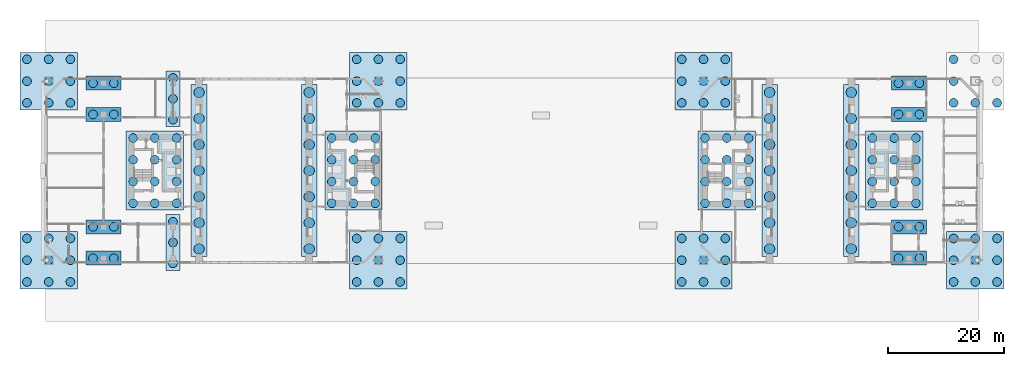
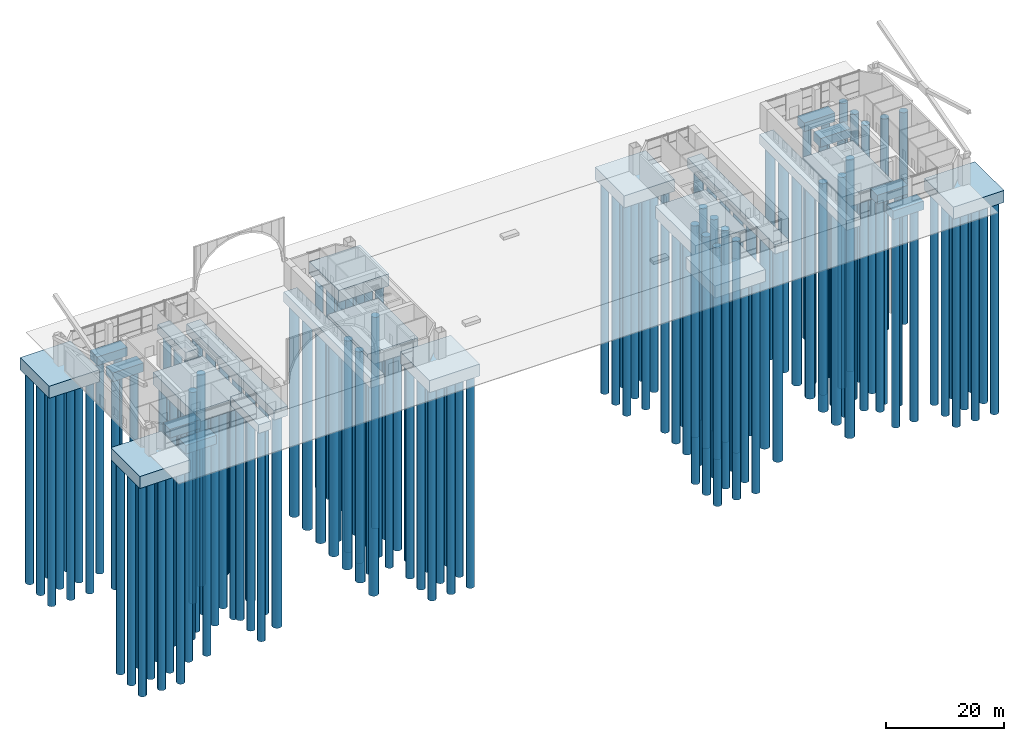
# One storey, part 1 of 26: 166 piles, 25 footings.
"""IFC4 building model written with IfcOpenShell, lengths in metres."""

import ifcopenshell
import ifcopenshell.guid

model = None  # the IFC model being written
_history = None  # IfcOwnerHistory: only IFC2X3 demands one
_inside = {}  # id of a spatial element -> (the spatial element, [elements in it])
_under = {}  # id of a project, library or spatial element -> (it, [spatial elements below it])
_declared = {}  # id of a project -> (the project, [libraries it declares])
_typed = {}  # id of a type object -> (the type object, [elements of that type])
_made_of = {}  # id of a material, layer set ... -> (it, [elements and type objects made of it])


def new_model(schema):
    """Start an empty IFC model of exactly this schema.

    Asked for "IFC4X3", IfcOpenShell would pick the latest addendum, in which some entities
    have other attributes; the version numbers below select the first issue.
    IFC2X3 requires an IfcOwnerHistory on every rooted entity: one is made here for all.
    """
    global model, _history
    if schema == "IFC4X3":
        model = ifcopenshell.file(schema_version=(4, 3, 0, 0))
    else:
        model = ifcopenshell.file(schema=schema)
    _inside.clear()
    _under.clear()
    _declared.clear()
    _typed.clear()
    _made_of.clear()
    _history = None
    if model.schema == "IFC2X3":
        org = make("IfcOrganization", Name="unknown")
        user = make(
            "IfcPersonAndOrganization",
            ThePerson=make("IfcPerson", FamilyName="unknown"),
            TheOrganization=org,
        )
        app = make(
            "IfcApplication",
            ApplicationDeveloper=org,
            Version="unknown",
            ApplicationFullName="unknown",
            ApplicationIdentifier="unknown",
        )
        _history = make(
            "IfcOwnerHistory",
            OwningUser=user,
            OwningApplication=app,
            ChangeAction="ADDED",
            CreationDate=0,
        )
    return model


def make(cls, **values):
    """One entity of the class cls with the attributes given. An attribute that is None is left unset."""
    return model.create_entity(
        cls, **{name: value for name, value in values.items() if value is not None}
    )


def rooted(cls, **values):
    """An entity with a GlobalId (a new one), such as an element, a storey or a relation."""
    return make(cls, GlobalId=ifcopenshell.guid.new(), OwnerHistory=_history, **values)


def si_unit(unit_type, name, prefix=None):
    """IfcSIUnit, for example si_unit("LENGTHUNIT", "METRE", prefix="MILLI")."""
    return make("IfcSIUnit", UnitType=unit_type, Prefix=prefix, Name=name)


def assignment(units):
    """IfcUnitAssignment: the units of a project."""
    return None if units is None else make("IfcUnitAssignment", Units=units)


def point(xyz):
    """IfcCartesianPoint."""
    return None if xyz is None else make("IfcCartesianPoint", Coordinates=xyz)


def direction(xyz):
    """IfcDirection."""
    return None if xyz is None else make("IfcDirection", DirectionRatios=xyz)


def frame(location, z_axis=None, x_axis=None):
    """IfcAxis2Placement3D, a coordinate frame: its origin and axes. An axis left out is left unset."""
    return make(
        "IfcAxis2Placement3D",
        Location=point(location),
        Axis=direction(z_axis),
        RefDirection=direction(x_axis),
    )


def frame_2d(location, x_axis=None):
    """IfcAxis2Placement2D, a coordinate frame in the plane: its origin and x axis."""
    return make(
        "IfcAxis2Placement2D", Location=point(location), RefDirection=direction(x_axis)
    )


def origin():
    """The frame at (0, 0, 0) with its axes left unset."""
    return frame((0.0, 0.0, 0.0))


def origin_2d():
    """The frame at (0, 0) in the plane with its x axis left unset."""
    return frame_2d((0.0, 0.0))


def place(relative_to, where):
    """IfcLocalPlacement: puts the frame where relative to a parent placement (None: the world)."""
    return make(
        "IfcLocalPlacement", PlacementRelTo=relative_to, RelativePlacement=where
    )


def context(
    kind, dimensions, precision=None, world=None, true_north=None, identifier=None
):
    """IfcGeometricRepresentationContext, for example the 3D "Model" context."""
    return make(
        "IfcGeometricRepresentationContext",
        ContextIdentifier=identifier,
        ContextType=kind,
        CoordinateSpaceDimension=dimensions,
        Precision=precision,
        WorldCoordinateSystem=world,
        TrueNorth=true_north,
    )


def subcontext(parent, identifier, kind, view, scale=None):
    """IfcGeometricRepresentationSubContext, for example "Body" below "Model"."""
    return make(
        "IfcGeometricRepresentationSubContext",
        ContextIdentifier=identifier,
        ContextType=kind,
        ParentContext=parent,
        TargetScale=scale,
        TargetView=view,
    )


def project(units=None, contexts=None):
    """IfcProject with its units and contexts."""
    return rooted(
        "IfcProject",
        Name="project",
        RepresentationContexts=contexts,
        UnitsInContext=assignment(units),
    )


def spatial(cls, under=None, at=None, **own):
    """A site, building, storey or space (cls), placed at a placement, below another one or the project."""
    s = rooted(cls, ObjectPlacement=at, **own)
    if under is not None:
        _under.setdefault(under.id(), (under, []))[1].append(s)
    return s


def polyline(points):
    """IfcPolyline through the points."""
    return make("IfcPolyline", Points=[point(p) for p in points])


def profile(cls, at=None, kind="AREA", **sizes):
    """A parametric profile (cls). Its sizes go by their IFC names, for example OverallWidth=200.0."""
    return make(cls, ProfileType=kind, Position=at, **sizes)


def circle(**sizes):
    """IfcCircleProfileDef."""
    return profile("IfcCircleProfileDef", **sizes)


def outline(outer, holes=None, kind="AREA"):
    """IfcArbitraryClosedProfileDef: a profile drawn as a closed curve; with holes, ...WithVoids."""
    if holes is None:
        return make("IfcArbitraryClosedProfileDef", ProfileType=kind, OuterCurve=outer)
    return make(
        "IfcArbitraryProfileDefWithVoids",
        ProfileType=kind,
        OuterCurve=outer,
        InnerCurves=holes,
    )


def extrude(swept, where, along, depth):
    """IfcExtrudedAreaSolid: the profile swept, set in the frame where, extruded along a direction by depth."""
    return make(
        "IfcExtrudedAreaSolid",
        SweptArea=swept,
        Position=where,
        ExtrudedDirection=direction(along),
        Depth=depth,
    )


def shape(context_of_items, identifier, shape_type, items):
    """IfcShapeRepresentation: the items that make up one representation, for example the "Body"."""
    return make(
        "IfcShapeRepresentation",
        ContextOfItems=context_of_items,
        RepresentationIdentifier=identifier,
        RepresentationType=shape_type,
        Items=items,
    )


def material(Name=None, Category=None):
    """IfcMaterial."""
    return make("IfcMaterial", Name=Name, Category=Category)


def material_profile(
    of_material, cross_section, Name=None, Category=None, Priority=None
):
    """IfcMaterialProfile: a cross section and its material."""
    return make(
        "IfcMaterialProfile",
        Name=Name,
        Material=of_material,
        Profile=cross_section,
        Priority=Priority,
        Category=Category,
    )


def profile_set(profiles, Name=None, composite=None):
    """IfcMaterialProfileSet."""
    return make(
        "IfcMaterialProfileSet",
        Name=Name,
        MaterialProfiles=profiles,
        CompositeProfile=composite,
    )


def made_of(thing, what):
    """Note that an element or type object is made of a material, layer set ...; save() writes the relation."""
    if what is not None:
        _made_of.setdefault(what.id(), (what, []))[1].append(thing)
    return thing


def type_object(cls, material=None, **own):
    """A type object (cls), such as IfcWallType, which elements share."""
    return made_of(rooted(cls, **own), material)


def element(
    cls,
    number,
    at=None,
    inside=None,
    cuts=None,
    type_object=None,
    material=None,
    context=None,
    identifier="Body",
    shape_type=None,
    held_by="IfcProductDefinitionShape",
    body=None,
    shapes=None,
    **own,
):
    """One element of the class cls, such as IfcWall. Its Tag is "e" and its number.

    at: its placement. inside: the storey or other place that contains it. cuts: it is an
    opening in that element (IfcRelVoidsElement). A single representation is given by context,
    identifier, shape_type and body (its items); several are given by shapes. held_by: the class
    of the entity that holds the representations. save() writes the other relations.
    """
    e = rooted(cls, Tag="e%d" % number, ObjectPlacement=at, **own)
    if body is not None:
        shapes = [shape(context, identifier, shape_type, body)]
    if shapes is not None:
        e.Representation = make(held_by, Representations=shapes)
    if inside is not None:
        _inside.setdefault(inside.id(), (inside, []))[1].append(e)
    if cuts is not None:
        rooted(
            "IfcRelVoidsElement", RelatingBuildingElement=cuts, RelatedOpeningElement=e
        )
    if type_object is not None:
        _typed.setdefault(type_object.id(), (type_object, []))[1].append(e)
    return made_of(e, material)


def aggregate(whole, parts):
    """IfcRelAggregates: a whole, such as a stair, and the parts it consists of."""
    return rooted("IfcRelAggregates", RelatingObject=whole, RelatedObjects=parts)


def save(model, path):
    """Write the relations noted so far, then the file.

    IfcRelAggregates (storeys below a building ...), IfcRelContainedInSpatialStructure (elements
    in a storey), IfcRelDefinesByType, IfcRelAssociatesMaterial and IfcRelDeclares: one each for
    every whole, place, type object, material and project.
    """
    for whole, parts in _under.values():
        aggregate(whole, parts)
    for where, things in _inside.values():
        rooted(
            "IfcRelContainedInSpatialStructure",
            RelatedElements=things,
            RelatingStructure=where,
        )
    for kind, things in _typed.values():
        rooted("IfcRelDefinesByType", RelatedObjects=things, RelatingType=kind)
    for what, things in _made_of.values():
        rooted("IfcRelAssociatesMaterial", RelatedObjects=things, RelatingMaterial=what)
    for by, libraries in _declared.values():
        rooted("IfcRelDeclares", RelatingContext=by, RelatedDefinitions=libraries)
    model.write(path)


model = new_model("IFC4")

# Units and contexts
model_context = context("Model", 3, precision=1e-05, world=origin(), true_north=direction((0.0, 1.0)))
body_context = subcontext(model_context, "Body", "Model", "MODEL_VIEW")
ifc_project = project(units=[si_unit("LENGTHUNIT", "METRE"), si_unit("AREAUNIT", "SQUARE_METRE"), si_unit("VOLUMEUNIT", "CUBIC_METRE"), si_unit("PLANEANGLEUNIT", "RADIAN"), si_unit("MASSUNIT", "GRAM", prefix="KILO")], contexts=[model_context])

# Site, building, storey
site_placement = place(None, origin())
site = spatial("IfcSite", under=ifc_project, at=site_placement, CompositionType="ELEMENT")
building_placement = place(site_placement, origin())
building = spatial("IfcBuilding", under=site, at=building_placement, Name="Tuart Gate Housing", CompositionType="ELEMENT")
storey_placement = place(building_placement, origin())
storey = spatial("IfcBuildingStorey", under=building, at=storey_placement, Name="L00", CompositionType="ELEMENT", Elevation=0.0)

# Piles
ifc_material_1 = material(Name="Concrete C40", Category="concrete")
ifc_material_profile_1 = material_profile(ifc_material_1, circle(Radius=0.75, at=origin_2d()), Name="Bored pile D1500")
ifc_profile_set_1 = profile_set([ifc_material_profile_1], Name="Concrete C40")
pile_type_1 = type_object("IfcPileType", Name="Bored pile D1500", PredefinedType="BORED", material=ifc_profile_set_1)
for number, where, z_axis, x_axis, name in (
    (1, (67.389892578125, 64.375, -4.0), (0.0, 0.0, -1.0), (1.0, 0.0, 0.0), "Pile AG 00"),
    (2, (67.389892578125, 68.125, -4.0), (0.0, 0.0, -1.0), (1.0, 0.0, 0.0), "Pile AG 01"),
    (3, (67.389892578125, 71.875, -4.0), (0.0, 0.0, -1.0), (1.0, 0.0, 0.0), "Pile AG 02"),
    (4, (67.389892578125, 75.625, -4.0), (0.0, 0.0, -1.0), (1.0, 0.0, 0.0), "Pile AG 03"),
    (5, (71.139892578125, 64.375, -4.0), (0.0, 0.0, -1.0), (1.0, 0.0, 0.0), "Pile AG 04"),
    (6, (71.139892578125, 68.125, -4.0), (0.0, 0.0, -1.0), (1.0, 0.0, 0.0), "Pile AG 05"),
    (7, (71.139892578125, 71.875, -4.0), (0.0, 0.0, -1.0), (1.0, 0.0, 0.0), "Pile AG 06"),
    (8, (71.139892578125, 75.625, -4.0), (0.0, 0.0, -1.0), (1.0, 0.0, 0.0), "Pile AG 07"),
    (9, (74.889892578125, 64.375, -4.0), (0.0, 0.0, -1.0), (1.0, 0.0, 0.0), "Pile AG 08"),
    (10, (74.889892578125, 68.125, -4.0), (0.0, 0.0, -1.0), (1.0, 0.0, 0.0), "Pile AG 09"),
    (11, (74.889892578125, 71.875, -4.0), (0.0, 0.0, -1.0), (1.0, 0.0, 0.0), "Pile AG 10"),
    (12, (74.889892578125, 75.625, -4.0), (0.0, 0.0, -1.0), (1.0, 0.0, 0.0), "Pile AG 11"),
    (13, (33.110107421875, 64.375, -4.0), (0.0, 0.0, -1.0), (1.0, 0.0, 0.0), "Pile AK 00"),
    (14, (33.110107421875, 68.125, -4.0), (0.0, 0.0, -1.0), (1.0, 0.0, 0.0), "Pile AK 01"),
    (15, (33.110107421875, 71.875, -4.0), (0.0, 0.0, -1.0), (1.0, 0.0, 0.0), "Pile AK 02"),
    (16, (33.110107421875, 75.625, -4.0), (0.0, 0.0, -1.0), (1.0, 0.0, 0.0), "Pile AK 03"),
    (17, (36.860107421875, 64.375, -4.0), (0.0, 0.0, -1.0), (1.0, 0.0, 0.0), "Pile AK 04"),
    (18, (36.860107421875, 68.125, -4.0), (0.0, 0.0, -1.0), (1.0, 0.0, 0.0), "Pile AK 05"),
    (19, (36.860107421875, 71.875, -4.0), (0.0, 0.0, -1.0), (1.0, 0.0, 0.0), "Pile AK 06"),
    (20, (36.860107421875, 75.625, -4.0), (0.0, 0.0, -1.0), (1.0, 0.0, 0.0), "Pile AK 07"),
    (21, (40.610107421875, 64.375, -4.0), (0.0, 0.0, -1.0), (1.0, 0.0, 0.0), "Pile AK 08"),
    (22, (40.610107421875, 68.125, -4.0), (0.0, 0.0, -1.0), (1.0, 0.0, 0.0), "Pile AK 09"),
    (23, (40.610107421875, 71.875, -4.0), (0.0, 0.0, -1.0), (1.0, 0.0, 0.0), "Pile AK 10"),
    (24, (40.610107421875, 75.625, -4.0), (0.0, 0.0, -1.0), (1.0, 0.0, 0.0), "Pile AK 11"),
    (25, (131.81005859375, 64.375, -4.0), (0.0, 0.0, -1.0), (1.0, 0.0, 0.0), "Pile BG 00"),
    (26, (131.81005859375, 68.125, -4.0), (0.0, 0.0, -1.0), (1.0, 0.0, 0.0), "Pile BG 01"),
    (27, (131.81005859375, 71.875, -4.0), (0.0, 0.0, -1.0), (1.0, 0.0, 0.0), "Pile BG 02"),
    (28, (131.81005859375, 75.625, -4.0), (0.0, 0.0, -1.0), (1.0, 0.0, 0.0), "Pile BG 03"),
    (29, (135.56005859375, 64.375, -4.0), (0.0, 0.0, -1.0), (1.0, 0.0, 0.0), "Pile BG 04"),
    (30, (135.56005859375, 68.125, -4.0), (0.0, 0.0, -1.0), (1.0, 0.0, 0.0), "Pile BG 05"),
    (31, (135.56005859375, 71.875, -4.0), (0.0, 0.0, -1.0), (1.0, 0.0, 0.0), "Pile BG 06"),
    (32, (135.56005859375, 75.625, -4.0), (0.0, 0.0, -1.0), (1.0, 0.0, 0.0), "Pile BG 07"),
    (33, (139.31005859375, 64.375, -4.0), (0.0, 0.0, -1.0), (1.0, 0.0, 0.0), "Pile BG 08"),
    (34, (139.31005859375, 68.125, -4.0), (0.0, 0.0, -1.0), (1.0, 0.0, 0.0), "Pile BG 09"),
    (35, (139.31005859375, 71.875, -4.0), (0.0, 0.0, -1.0), (1.0, 0.0, 0.0), "Pile BG 10"),
    (36, (139.31005859375, 75.625, -4.0), (0.0, 0.0, -1.0), (1.0, 0.0, 0.0), "Pile BG 11"),
    (37, (160.68994140625, 64.375, -4.0), (0.0, 0.0, -1.0), (1.0, 0.0, 0.0), "Pile BK 00"),
    (38, (160.68994140625, 68.125, -4.0), (0.0, 0.0, -1.0), (1.0, 0.0, 0.0), "Pile BK 01"),
    (39, (160.68994140625, 71.875, -4.0), (0.0, 0.0, -1.0), (1.0, 0.0, 0.0), "Pile BK 02"),
    (40, (160.68994140625, 75.625, -4.0), (0.0, 0.0, -1.0), (1.0, 0.0, 0.0), "Pile BK 03"),
    (41, (164.43994140625, 64.375, -4.0), (0.0, 0.0, -1.0), (1.0, 0.0, 0.0), "Pile BK 04"),
    (42, (164.43994140625, 68.125, -4.0), (0.0, 0.0, -1.0), (1.0, 0.0, 0.0), "Pile BK 05"),
    (43, (164.43994140625, 71.875, -4.0), (0.0, 0.0, -1.0), (1.0, 0.0, 0.0), "Pile BK 06"),
    (44, (164.43994140625, 75.625, -4.0), (0.0, 0.0, -1.0), (1.0, 0.0, 0.0), "Pile BK 07"),
    (45, (168.18994140625, 64.375, -4.0), (0.0, 0.0, -1.0), (1.0, 0.0, 0.0), "Pile BK 08"),
    (46, (168.18994140625, 68.125, -4.0), (0.0, 0.0, -1.0), (1.0, 0.0, 0.0), "Pile BK 09"),
    (47, (168.18994140625, 71.875, -4.0), (0.0, 0.0, -1.0), (1.0, 0.0, 0.0), "Pile BK 10"),
    (48, (168.18994140625, 75.625, -4.0), (0.0, 0.0, -1.0), (1.0, 0.0, 0.0), "Pile BK 11"),
    (49, (14.800048828125, 50.800048828125, -2.75), (0.0, 0.0, -1.0), (1.0, 0.0, 0.0), "Mega column pile A south-west 00"),
    (50, (14.800048828125, 54.550048828125, -2.75), (0.0, 0.0, -1.0), (1.0, 0.0, 0.0), "Mega column pile A south-west 01"),
    (51, (14.800048828125, 58.300048828125, -2.75), (0.0, 0.0, -1.0), (1.0, 0.0, 0.0), "Mega column pile A south-west 02"),
    (52, (18.550048828125, 50.800048828125, -2.75), (0.0, 0.0, -1.0), (1.0, 0.0, 0.0), "Mega column pile A south-west 03"),
    (53, (18.550048828125, 54.550048828125, -2.75), (0.0, 0.0, -1.0), (1.0, 0.0, 0.0), "Mega column pile A south-west 04"),
    (54, (18.550048828125, 58.300048828125, -2.75), (0.0, 0.0, -1.0), (1.0, 0.0, 0.0), "Mega column pile A south-west 05"),
    (55, (22.300048828125, 50.800048828125, -2.75), (0.0, 0.0, -1.0), (1.0, 0.0, 0.0), "Mega column pile A south-west 06"),
    (56, (22.300048828125, 54.550048828125, -2.75), (0.0, 0.0, -1.0), (1.0, 0.0, 0.0), "Mega column pile A south-west 07"),
    (57, (22.300048828125, 58.300048828125, -2.75), (0.0, 0.0, -1.0), (1.0, 0.0, 0.0), "Mega column pile A south-west 08"),
    (58, (71.699951171875, 50.800048828125, -2.75), (0.0, 0.0, -1.0), (1.0, 0.0, 0.0), "Mega column pile A south-east 00"),
    (59, (71.699951171875, 54.550048828125, -2.75), (0.0, 0.0, -1.0), (1.0, 0.0, 0.0), "Mega column pile A south-east 01"),
    (60, (71.699951171875, 58.300048828125, -2.75), (0.0, 0.0, -1.0), (1.0, 0.0, 0.0), "Mega column pile A south-east 02"),
    (61, (75.449951171875, 50.800048828125, -2.75), (0.0, 0.0, -1.0), (1.0, 0.0, 0.0), "Mega column pile A south-east 03"),
    (62, (75.449951171875, 54.550048828125, -2.75), (0.0, 0.0, -1.0), (1.0, 0.0, 0.0), "Mega column pile A south-east 04"),
    (63, (75.449951171875, 58.300048828125, -2.75), (0.0, 0.0, -1.0), (1.0, 0.0, 0.0), "Mega column pile A south-east 05"),
    (64, (79.199951171875, 50.800048828125, -2.75), (0.0, 0.0, -1.0), (1.0, 0.0, 0.0), "Mega column pile A south-east 06"),
    (65, (79.199951171875, 54.550048828125, -2.75), (0.0, 0.0, -1.0), (1.0, 0.0, 0.0), "Mega column pile A south-east 07"),
    (66, (79.199951171875, 58.300048828125, -2.75), (0.0, 0.0, -1.0), (1.0, 0.0, 0.0), "Mega column pile A south-east 08"),
    (67, (71.699951171875, 81.699951171875, -2.75), (0.0, 0.0, -1.0), (1.0, 0.0, 0.0), "Mega column pile A north-east 00"),
    (68, (71.699951171875, 85.449951171875, -2.75), (0.0, 0.0, -1.0), (1.0, 0.0, 0.0), "Mega column pile A north-east 01"),
    (69, (71.699951171875, 89.199951171875, -2.75), (0.0, 0.0, -1.0), (1.0, 0.0, 0.0), "Mega column pile A north-east 02"),
    (70, (75.449951171875, 81.699951171875, -2.75), (0.0, 0.0, -1.0), (1.0, 0.0, 0.0), "Mega column pile A north-east 03"),
    (71, (75.449951171875, 85.449951171875, -2.75), (0.0, 0.0, -1.0), (1.0, 0.0, 0.0), "Mega column pile A north-east 04"),
    (72, (75.449951171875, 89.199951171875, -2.75), (0.0, 0.0, -1.0), (1.0, 0.0, 0.0), "Mega column pile A north-east 05"),
    (73, (79.199951171875, 81.699951171875, -2.75), (0.0, 0.0, -1.0), (1.0, 0.0, 0.0), "Mega column pile A north-east 06"),
    (74, (79.199951171875, 85.449951171875, -2.75), (0.0, 0.0, -1.0), (1.0, 0.0, 0.0), "Mega column pile A north-east 07"),
    (75, (79.199951171875, 89.199951171875, -2.75), (0.0, 0.0, -1.0), (1.0, 0.0, 0.0), "Mega column pile A north-east 08"),
    (76, (14.800048828125, 81.699951171875, -2.75), (0.0, 0.0, -1.0), (1.0, 0.0, 0.0), "Mega column pile A north-west 00"),
    (77, (14.800048828125, 85.449951171875, -2.75), (0.0, 0.0, -1.0), (1.0, 0.0, 0.0), "Mega column pile A north-west 01"),
    (78, (14.800048828125, 89.199951171875, -2.75), (0.0, 0.0, -1.0), (1.0, 0.0, 0.0), "Mega column pile A north-west 02"),
    (79, (18.550048828125, 81.699951171875, -2.75), (0.0, 0.0, -1.0), (1.0, 0.0, 0.0), "Mega column pile A north-west 03"),
    (80, (18.550048828125, 85.449951171875, -2.75), (0.0, 0.0, -1.0), (1.0, 0.0, 0.0), "Mega column pile A north-west 04"),
    (81, (18.550048828125, 89.199951171875, -2.75), (0.0, 0.0, -1.0), (1.0, 0.0, 0.0), "Mega column pile A north-west 05"),
    (82, (22.300048828125, 81.699951171875, -2.75), (0.0, 0.0, -1.0), (1.0, 0.0, 0.0), "Mega column pile A north-west 06"),
    (83, (22.300048828125, 85.449951171875, -2.75), (0.0, 0.0, -1.0), (1.0, 0.0, 0.0), "Mega column pile A north-west 07"),
    (84, (22.300048828125, 89.199951171875, -2.75), (0.0, 0.0, -1.0), (1.0, 0.0, 0.0), "Mega column pile A north-west 08"),
    (85, (127.800048828125, 50.800048828125, -2.75), (0.0, 0.0, -1.0), (1.0, 0.0, 0.0), "Mega column pile B south-west 00"),
    (86, (127.800048828125, 54.550048828125, -2.75), (0.0, 0.0, -1.0), (1.0, 0.0, 0.0), "Mega column pile B south-west 01"),
    (87, (127.800048828125, 58.300048828125, -2.75), (0.0, 0.0, -1.0), (1.0, 0.0, 0.0), "Mega column pile B south-west 02"),
    (88, (131.550048828125, 50.800048828125, -2.75), (0.0, 0.0, -1.0), (1.0, 0.0, 0.0), "Mega column pile B south-west 03"),
    (89, (131.550048828125, 54.550048828125, -2.75), (0.0, 0.0, -1.0), (1.0, 0.0, 0.0), "Mega column pile B south-west 04"),
    (90, (131.550048828125, 58.300048828125, -2.75), (0.0, 0.0, -1.0), (1.0, 0.0, 0.0), "Mega column pile B south-west 05"),
    (91, (135.300048828125, 50.800048828125, -2.75), (0.0, 0.0, -1.0), (1.0, 0.0, 0.0), "Mega column pile B south-west 06"),
    (92, (135.300048828125, 54.550048828125, -2.75), (0.0, 0.0, -1.0), (1.0, 0.0, 0.0), "Mega column pile B south-west 07"),
    (93, (135.300048828125, 58.300048828125, -2.75), (0.0, 0.0, -1.0), (1.0, 0.0, 0.0), "Mega column pile B south-west 08"),
    (94, (174.699951171875, 50.800048828125, -2.75), (0.0, 0.0, -1.0), (1.0, 0.0, 0.0), "Mega column pile B south-east 00"),
    (95, (174.699951171875, 54.550048828125, -2.75), (0.0, 0.0, -1.0), (1.0, 0.0, 0.0), "Mega column pile B south-east 01"),
    (96, (174.699951171875, 58.300048828125, -2.75), (0.0, 0.0, -1.0), (1.0, 0.0, 0.0), "Mega column pile B south-east 02"),
    (97, (178.449951171875, 50.800048828125, -2.75), (0.0, 0.0, -1.0), (1.0, 0.0, 0.0), "Mega column pile B south-east 03"),
    (98, (178.449951171875, 54.550048828125, -2.75), (0.0, 0.0, -1.0), (1.0, 0.0, 0.0), "Mega column pile B south-east 04"),
    (99, (178.449951171875, 58.300048828125, -2.75), (0.0, 0.0, -1.0), (1.0, 0.0, 0.0), "Mega column pile B south-east 05"),
    (100, (182.199951171875, 50.800048828125, -2.75), (0.0, 0.0, -1.0), (1.0, 0.0, 0.0), "Mega column pile B south-east 06"),
    (101, (182.199951171875, 54.550048828125, -2.75), (0.0, 0.0, -1.0), (1.0, 0.0, 0.0), "Mega column pile B south-east 07"),
    (102, (182.199951171875, 58.300048828125, -2.75), (0.0, 0.0, -1.0), (1.0, 0.0, 0.0), "Mega column pile B south-east 08"),
    (103, (174.699951171875, 81.699951171875, -2.75), (0.0, 0.0, -1.0), (1.0, 0.0, 0.0), "Mega column pile B north-east 00"),
    (104, (174.699951171875, 85.449951171875, -2.75), (0.0, 0.0, -1.0), (1.0, 0.0, 0.0), "Mega column pile B north-east 01"),
    (105, (174.699951171875, 89.199951171875, -2.75), (0.0, 0.0, -1.0), (1.0, 0.0, 0.0), "Mega column pile B north-east 02"),
    (106, (178.449951171875, 81.699951171875, -2.75), (0.0, 0.0, -1.0), (1.0, 0.0, 0.0), "Mega column pile B north-east 03"),
    (107, (182.199951171875, 81.699951171875, -2.75), (0.0, 0.0, -1.0), (1.0, 0.0, 0.0), "Mega column pile B north-east 06"),
    (108, (127.800048828125, 81.699951171875, -2.75), (0.0, 0.0, -1.0), (1.0, 0.0, 0.0), "Mega column pile B north-west 00"),
    (109, (127.800048828125, 85.449951171875, -2.75), (0.0, 0.0, -1.0), (1.0, 0.0, 0.0), "Mega column pile B north-west 01"),
    (110, (127.800048828125, 89.199951171875, -2.75), (0.0, 0.0, -1.0), (1.0, 0.0, 0.0), "Mega column pile B north-west 02"),
    (111, (131.550048828125, 81.699951171875, -2.75), (0.0, 0.0, -1.0), (1.0, 0.0, 0.0), "Mega column pile B north-west 03"),
    (112, (131.550048828125, 85.449951171875, -2.75), (0.0, 0.0, -1.0), (1.0, 0.0, 0.0), "Mega column pile B north-west 04"),
    (113, (131.550048828125, 89.199951171875, -2.75), (0.0, 0.0, -1.0), (1.0, 0.0, 0.0), "Mega column pile B north-west 05"),
    (114, (135.300048828125, 81.699951171875, -2.75), (0.0, 0.0, -1.0), (1.0, 0.0, 0.0), "Mega column pile B north-west 06"),
    (115, (135.300048828125, 85.449951171875, -2.75), (0.0, 0.0, -1.0), (1.0, 0.0, 0.0), "Mega column pile B north-west 07"),
    (116, (135.300048828125, 89.199951171875, -2.75), (0.0, 0.0, -1.0), (1.0, 0.0, 0.0), "Mega column pile B north-west 08"),
    (117, (26.199951171875, 54.89990234375, -2.050048828125), (0.0, 0.0, -1.0), (1.0, 0.0, 0.0), "Column pile 2 00"),
    (118, (29.800048828125, 54.89990234375, -2.050048828125), (0.0, 0.0, -1.0), (1.0, 0.0, 0.0), "Column pile 2 01"),
    (119, (26.199951171875, 60.300048828125, -2.050048828125), (0.0, 0.0, -1.0), (1.0, 0.0, 0.0), "Column pile 3 00"),
    (120, (29.800048828125, 60.300048828125, -2.050048828125), (0.0, 0.0, -1.0), (1.0, 0.0, 0.0), "Column pile 3 01"),
    (121, (26.199951171875, 79.699951171875, -2.050048828125), (0.0, 0.0, -1.0), (1.0, 0.0, 0.0), "Column pile 6 00"),
    (122, (29.800048828125, 79.699951171875, -2.050048828125), (0.0, 0.0, -1.0), (1.0, 0.0, 0.0), "Column pile 6 01"),
    (123, (26.199951171875, 85.10009765625, -2.050048828125), (0.0, 0.0, -1.0), (1.0, 0.0, 0.0), "Column pile 7 00"),
    (124, (29.800048828125, 85.10009765625, -2.050048828125), (0.0, 0.0, -1.0), (1.0, 0.0, 0.0), "Column pile 7 01"),
    (125, (40.0, 54.0, -2.050048828125), (0.0, 0.0, -1.0), (1.0, 0.0, 0.0), "Column pile 10 and 11 00"),
    (126, (40.0, 57.60009765625, -2.050048828125), (0.0, 0.0, -1.0), (1.0, 0.0, 0.0), "Column pile 10 and 11 01"),
    (127, (40.0, 61.199951171875, -2.050048828125), (0.0, 0.0, -1.0), (1.0, 0.0, 0.0), "Column pile 10 and 11 02"),
    (128, (40.0, 78.800048828125, -2.050048828125), (0.0, 0.0, -1.0), (1.0, 0.0, 0.0), "Column pile 14 and 15 00"),
    (129, (40.0, 82.39990234375, -2.050048828125), (0.0, 0.0, -1.0), (1.0, 0.0, 0.0), "Column pile 14 and 15 01"),
    (130, (40.0, 86.0, -2.050048828125), (0.0, 0.0, -1.0), (1.0, 0.0, 0.0), "Column pile 14 and 15 02"),
    (131, (165.199951171875, 54.89990234375, -2.050048828125), (0.0, 0.0, -1.0), (1.0, 0.0, 0.0), "Column pile 34 00"),
    (132, (168.800048828125, 54.89990234375, -2.050048828125), (0.0, 0.0, -1.0), (1.0, 0.0, 0.0), "Column pile 34 01"),
    (133, (165.199951171875, 60.300048828125, -2.050048828125), (0.0, 0.0, -1.0), (1.0, 0.0, 0.0), "Column pile 35 00"),
    (134, (168.800048828125, 60.300048828125, -2.050048828125), (0.0, 0.0, -1.0), (1.0, 0.0, 0.0), "Column pile 35 01"),
    (135, (165.199951171875, 79.699951171875, -2.050048828125), (0.0, 0.0, -1.0), (1.0, 0.0, 0.0), "Column pile 38 00"),
    (136, (168.800048828125, 79.699951171875, -2.050048828125), (0.0, 0.0, -1.0), (1.0, 0.0, 0.0), "Column pile 38 01"),
    (137, (165.199951171875, 85.10009765625, -2.050048828125), (0.0, 0.0, -1.0), (1.0, 0.0, 0.0), "Column pile 39 00"),
    (138, (168.800048828125, 85.10009765625, -2.050048828125), (0.0, 0.0, -1.0), (1.0, 0.0, 0.0), "Column pile 39 01"),
):
    element("IfcPile", number, at=place(storey_placement, frame(where, z_axis=z_axis, x_axis=x_axis)), inside=storey, type_object=pile_type_1, Name=name, PredefinedType="BORED", context=body_context, shape_type="SweptSolid", body=[
        extrude(circle(Radius=0.75, at=origin_2d()), origin(), (0.0, 0.0, 1.0), 44.0),
    ])
ifc_material_2 = material(Name="Concrete C40", Category="concrete")
ifc_material_profile_2 = material_profile(ifc_material_2, circle(Radius=0.89990234375, at=origin_2d()), Name="Bored pile D1800")
ifc_profile_set_2 = profile_set([ifc_material_profile_2], Name="Concrete C40")
pile_type_2 = type_object("IfcPileType", Name="Bored pile D1800", PredefinedType="BORED", material=ifc_profile_set_2)
for number, where, z_axis, x_axis, name in (
    (139, (44.5, 56.5, -2.25), (0.0, 0.0, -1.0), (1.0, 0.0, 0.0), "Pier pile AW 00"),
    (140, (44.5, 61.0, -2.25), (0.0, 0.0, -1.0), (1.0, 0.0, 0.0), "Pier pile AW 01"),
    (141, (44.5, 65.5, -2.25), (0.0, 0.0, -1.0), (1.0, 0.0, 0.0), "Pier pile AW 02"),
    (142, (44.5, 70.0, -2.25), (0.0, 0.0, -1.0), (1.0, 0.0, 0.0), "Pier pile AW 03"),
    (143, (44.5, 74.5, -2.25), (0.0, 0.0, -1.0), (1.0, 0.0, 0.0), "Pier pile AW 04"),
    (144, (44.5, 79.0, -2.25), (0.0, 0.0, -1.0), (1.0, 0.0, 0.0), "Pier pile AW 05"),
    (145, (44.5, 83.5, -2.25), (0.0, 0.0, -1.0), (1.0, 0.0, 0.0), "Pier pile AW 06"),
    (146, (63.5, 56.5, -2.25), (0.0, 0.0, -1.0), (1.0, 0.0, 0.0), "Pier pile AE 00"),
    (147, (63.5, 61.0, -2.25), (0.0, 0.0, -1.0), (1.0, 0.0, 0.0), "Pier pile AE 01"),
    (148, (63.5, 65.5, -2.25), (0.0, 0.0, -1.0), (1.0, 0.0, 0.0), "Pier pile AE 02"),
    (149, (63.5, 70.0, -2.25), (0.0, 0.0, -1.0), (1.0, 0.0, 0.0), "Pier pile AE 03"),
    (150, (63.5, 74.5, -2.25), (0.0, 0.0, -1.0), (1.0, 0.0, 0.0), "Pier pile AE 04"),
    (151, (63.5, 79.0, -2.25), (0.0, 0.0, -1.0), (1.0, 0.0, 0.0), "Pier pile AE 05"),
    (152, (63.5, 83.5, -2.25), (0.0, 0.0, -1.0), (1.0, 0.0, 0.0), "Pier pile AE 06"),
    (153, (142.949951171875, 56.5, -2.25), (0.0, 0.0, -1.0), (1.0, 0.0, 0.0), "Pier pile BW 00"),
    (154, (142.949951171875, 61.0, -2.25), (0.0, 0.0, -1.0), (1.0, 0.0, 0.0), "Pier pile BW 01"),
    (155, (142.949951171875, 65.5, -2.25), (0.0, 0.0, -1.0), (1.0, 0.0, 0.0), "Pier pile BW 02"),
    (156, (142.949951171875, 70.0, -2.25), (0.0, 0.0, -1.0), (1.0, 0.0, 0.0), "Pier pile BW 03"),
    (157, (142.949951171875, 74.5, -2.25), (0.0, 0.0, -1.0), (1.0, 0.0, 0.0), "Pier pile BW 04"),
    (158, (142.949951171875, 79.0, -2.25), (0.0, 0.0, -1.0), (1.0, 0.0, 0.0), "Pier pile BW 05"),
    (159, (142.949951171875, 83.5, -2.25), (0.0, 0.0, -1.0), (1.0, 0.0, 0.0), "Pier pile BW 06"),
    (160, (157.050048828125, 56.5, -2.25), (0.0, 0.0, -1.0), (1.0, 0.0, 0.0), "Pier pile BE 00"),
    (161, (157.050048828125, 61.0, -2.25), (0.0, 0.0, -1.0), (1.0, 0.0, 0.0), "Pier pile BE 01"),
    (162, (157.050048828125, 65.5, -2.25), (0.0, 0.0, -1.0), (1.0, 0.0, 0.0), "Pier pile BE 02"),
    (163, (157.050048828125, 70.0, -2.25), (0.0, 0.0, -1.0), (1.0, 0.0, 0.0), "Pier pile BE 03"),
    (164, (157.050048828125, 74.5, -2.25), (0.0, 0.0, -1.0), (1.0, 0.0, 0.0), "Pier pile BE 04"),
    (165, (157.050048828125, 79.0, -2.25), (0.0, 0.0, -1.0), (1.0, 0.0, 0.0), "Pier pile BE 05"),
    (166, (157.050048828125, 83.5, -2.25), (0.0, 0.0, -1.0), (1.0, 0.0, 0.0), "Pier pile BE 06"),
):
    element("IfcPile", number, at=place(storey_placement, frame(where, z_axis=z_axis, x_axis=x_axis)), inside=storey, type_object=pile_type_2, Name=name, PredefinedType="BORED", context=body_context, shape_type="SweptSolid", body=[
        extrude(circle(Radius=0.89990234375, at=origin_2d()), origin(), (0.0, 0.0, 1.0), 44.0),
    ])

# Footings
ifc_material_3 = material(Name="Concrete C40", Category="concrete")
footing_type_1 = type_object("IfcFootingType", Name="Pile cap 2400 x 9600 x 1800", PredefinedType="PILE_CAP", material=ifc_material_3)
footing_1_placement = place(storey_placement, frame((0.0, 0.0, -2.14990234375)))
element("IfcFooting", 167, at=footing_1_placement, inside=storey, type_object=footing_type_1, Name="Column pile cap 10 and 11", PredefinedType="PILE_CAP", context=body_context, shape_type="SweptSolid", body=[
    extrude(outline(polyline([(38.800048828125, 52.800048828125), (41.199951171875, 52.800048828125), (41.199951171875, 62.39990234375), (38.800048828125, 62.39990234375), (38.800048828125, 52.800048828125)])), origin(), (0.0, 0.0, 1.0), 1.7998046875),
])
footing_2_placement = place(storey_placement, frame((0.0, 0.0, -2.14990234375)))
element("IfcFooting", 168, at=footing_2_placement, inside=storey, type_object=footing_type_1, Name="Column pile cap 14 and 15", PredefinedType="PILE_CAP", context=body_context, shape_type="SweptSolid", body=[
    extrude(outline(polyline([(38.800048828125, 77.60009765625), (41.199951171875, 77.60009765625), (41.199951171875, 87.199951171875), (38.800048828125, 87.199951171875), (38.800048828125, 77.60009765625)])), origin(), (0.0, 0.0, 1.0), 1.7998046875),
])
ifc_material_4 = material(Name="Concrete C40", Category="concrete")
footing_type_2 = type_object("IfcFootingType", Name="Pile cap 2700 x 29700 x 2000", PredefinedType="PILE_CAP", material=ifc_material_4)
footing_3_placement = place(storey_placement, frame((0.0, 0.0, -2.35009765625)))
element("IfcFooting", 169, at=footing_3_placement, inside=storey, type_object=footing_type_2, Name="Pier pile cap AW", PredefinedType="PILE_CAP", context=body_context, shape_type="SweptSolid", body=[
    extrude(outline(polyline([(43.14990234375, 55.14990234375), (45.85009765625, 55.14990234375), (45.85009765625, 84.85009765625), (43.14990234375, 84.85009765625), (43.14990234375, 55.14990234375)])), origin(), (0.0, 0.0, 1.0), 2.0),
])
footing_4_placement = place(storey_placement, frame((0.0, 0.0, -2.35009765625)))
element("IfcFooting", 170, at=footing_4_placement, inside=storey, type_object=footing_type_2, Name="Pier pile cap AE", PredefinedType="PILE_CAP", context=body_context, shape_type="SweptSolid", body=[
    extrude(outline(polyline([(62.14990234375, 55.14990234375), (64.85009765625, 55.14990234375), (64.85009765625, 84.85009765625), (62.14990234375, 84.85009765625), (62.14990234375, 55.14990234375)])), origin(), (0.0, 0.0, 1.0), 2.0),
])
footing_5_placement = place(storey_placement, frame((0.0, 0.0, -2.35009765625)))
element("IfcFooting", 171, at=footing_5_placement, inside=storey, type_object=footing_type_2, Name="Pier pile cap BW", PredefinedType="PILE_CAP", context=body_context, shape_type="SweptSolid", body=[
    extrude(outline(polyline([(141.60009765625, 55.14990234375), (144.300048828125, 55.14990234375), (144.300048828125, 84.85009765625), (141.60009765625, 84.85009765625), (141.60009765625, 55.14990234375)])), origin(), (0.0, 0.0, 1.0), 2.0),
])
footing_6_placement = place(storey_placement, frame((0.0, 0.0, -2.35009765625)))
element("IfcFooting", 172, at=footing_6_placement, inside=storey, type_object=footing_type_2, Name="Pier pile cap BE", PredefinedType="PILE_CAP", context=body_context, shape_type="SweptSolid", body=[
    extrude(outline(polyline([(155.699951171875, 55.14990234375), (158.39990234375, 55.14990234375), (158.39990234375, 84.85009765625), (155.699951171875, 84.85009765625), (155.699951171875, 55.14990234375)])), origin(), (0.0, 0.0, 1.0), 2.0),
])
ifc_material_5 = material(Name="Concrete C40", Category="concrete")
footing_type_3 = type_object("IfcFootingType", Name="Pile cap 6000 x 2400 x 1800", PredefinedType="PILE_CAP", material=ifc_material_5)
footing_7_placement = place(storey_placement, frame((0.0, 0.0, -2.14990234375)))
element("IfcFooting", 173, at=footing_7_placement, inside=storey, type_object=footing_type_3, Name="Column pile cap 2", PredefinedType="PILE_CAP", context=body_context, shape_type="SweptSolid", body=[
    extrude(outline(polyline([(25.0, 53.699951171875), (31.0, 53.699951171875), (31.0, 56.10009765625), (25.0, 56.10009765625), (25.0, 53.699951171875)])), origin(), (0.0, 0.0, 1.0), 1.7998046875),
])
footing_8_placement = place(storey_placement, frame((0.0, 0.0, -2.14990234375)))
element("IfcFooting", 174, at=footing_8_placement, inside=storey, type_object=footing_type_3, Name="Column pile cap 3", PredefinedType="PILE_CAP", context=body_context, shape_type="SweptSolid", body=[
    extrude(outline(polyline([(25.0, 59.10009765625), (31.0, 59.10009765625), (31.0, 61.5), (25.0, 61.5), (25.0, 59.10009765625)])), origin(), (0.0, 0.0, 1.0), 1.7998046875),
])
footing_9_placement = place(storey_placement, frame((0.0, 0.0, -2.14990234375)))
element("IfcFooting", 175, at=footing_9_placement, inside=storey, type_object=footing_type_3, Name="Column pile cap 6", PredefinedType="PILE_CAP", context=body_context, shape_type="SweptSolid", body=[
    extrude(outline(polyline([(25.0, 78.5), (31.0, 78.5), (31.0, 80.89990234375), (25.0, 80.89990234375), (25.0, 78.5)])), origin(), (0.0, 0.0, 1.0), 1.7998046875),
])
footing_10_placement = place(storey_placement, frame((0.0, 0.0, -2.14990234375)))
element("IfcFooting", 176, at=footing_10_placement, inside=storey, type_object=footing_type_3, Name="Column pile cap 7", PredefinedType="PILE_CAP", context=body_context, shape_type="SweptSolid", body=[
    extrude(outline(polyline([(25.0, 83.89990234375), (31.0, 83.89990234375), (31.0, 86.300048828125), (25.0, 86.300048828125), (25.0, 83.89990234375)])), origin(), (0.0, 0.0, 1.0), 1.7998046875),
])
footing_11_placement = place(storey_placement, frame((0.0, 0.0, -2.14990234375)))
element("IfcFooting", 177, at=footing_11_placement, inside=storey, type_object=footing_type_3, Name="Column pile cap 34", PredefinedType="PILE_CAP", context=body_context, shape_type="SweptSolid", body=[
    extrude(outline(polyline([(164.0, 53.699951171875), (170.0, 53.699951171875), (170.0, 56.10009765625), (164.0, 56.10009765625), (164.0, 53.699951171875)])), origin(), (0.0, 0.0, 1.0), 1.7998046875),
])
footing_12_placement = place(storey_placement, frame((0.0, 0.0, -2.14990234375)))
element("IfcFooting", 178, at=footing_12_placement, inside=storey, type_object=footing_type_3, Name="Column pile cap 35", PredefinedType="PILE_CAP", context=body_context, shape_type="SweptSolid", body=[
    extrude(outline(polyline([(164.0, 59.10009765625), (170.0, 59.10009765625), (170.0, 61.5), (164.0, 61.5), (164.0, 59.10009765625)])), origin(), (0.0, 0.0, 1.0), 1.7998046875),
])
footing_13_placement = place(storey_placement, frame((0.0, 0.0, -2.14990234375)))
element("IfcFooting", 179, at=footing_13_placement, inside=storey, type_object=footing_type_3, Name="Column pile cap 38", PredefinedType="PILE_CAP", context=body_context, shape_type="SweptSolid", body=[
    extrude(outline(polyline([(164.0, 78.5), (170.0, 78.5), (170.0, 80.89990234375), (164.0, 80.89990234375), (164.0, 78.5)])), origin(), (0.0, 0.0, 1.0), 1.7998046875),
])
footing_14_placement = place(storey_placement, frame((0.0, 0.0, -2.14990234375)))
element("IfcFooting", 180, at=footing_14_placement, inside=storey, type_object=footing_type_3, Name="Column pile cap 39", PredefinedType="PILE_CAP", context=body_context, shape_type="SweptSolid", body=[
    extrude(outline(polyline([(164.0, 83.89990234375), (170.0, 83.89990234375), (170.0, 86.300048828125), (164.0, 86.300048828125), (164.0, 83.89990234375)])), origin(), (0.0, 0.0, 1.0), 1.7998046875),
])
ifc_material_6 = material(Name="Concrete C40", Category="concrete")
footing_type_4 = type_object("IfcFootingType", Name="Pile cap 9900 x 13650 x 2500", PredefinedType="PILE_CAP", material=ifc_material_6)
footing_15_placement = place(storey_placement, frame((0.0, 0.0, -4.10009765625)))
element("IfcFooting", 181, at=footing_15_placement, inside=storey, type_object=footing_type_4, Name="Pile cap AG", PredefinedType="PILE_CAP", context=body_context, shape_type="SweptSolid", body=[
    extrude(outline(polyline([(66.18994140625, 63.175048828125), (76.090087890625, 63.175048828125), (76.090087890625, 76.824951171875), (66.18994140625, 76.824951171875), (66.18994140625, 63.175048828125)])), origin(), (0.0, 0.0, 1.0), 2.5),
])
footing_16_placement = place(storey_placement, frame((0.0, 0.0, -4.10009765625)))
element("IfcFooting", 182, at=footing_16_placement, inside=storey, type_object=footing_type_4, Name="Pile cap AK", PredefinedType="PILE_CAP", context=body_context, shape_type="SweptSolid", body=[
    extrude(outline(polyline([(31.909912109375, 63.175048828125), (41.81005859375, 63.175048828125), (41.81005859375, 76.824951171875), (31.909912109375, 76.824951171875), (31.909912109375, 63.175048828125)])), origin(), (0.0, 0.0, 1.0), 2.5),
])
footing_17_placement = place(storey_placement, frame((0.0, 0.0, -4.10009765625)))
element("IfcFooting", 183, at=footing_17_placement, inside=storey, type_object=footing_type_4, Name="Pile cap BG", PredefinedType="PILE_CAP", context=body_context, shape_type="SweptSolid", body=[
    extrude(outline(polyline([(130.610107421875, 63.175048828125), (140.510009765625, 63.175048828125), (140.510009765625, 76.824951171875), (130.610107421875, 76.824951171875), (130.610107421875, 63.175048828125)])), origin(), (0.0, 0.0, 1.0), 2.5),
])
footing_18_placement = place(storey_placement, frame((0.0, 0.0, -4.10009765625)))
element("IfcFooting", 184, at=footing_18_placement, inside=storey, type_object=footing_type_4, Name="Pile cap BK", PredefinedType="PILE_CAP", context=body_context, shape_type="SweptSolid", body=[
    extrude(outline(polyline([(159.489990234375, 63.175048828125), (169.389892578125, 63.175048828125), (169.389892578125, 76.824951171875), (159.489990234375, 76.824951171875), (159.489990234375, 63.175048828125)])), origin(), (0.0, 0.0, 1.0), 2.5),
])
ifc_material_7 = material(Name="Concrete C40", Category="concrete")
footing_type_5 = type_object("IfcFootingType", Name="Pile cap 9900 x 9900 x 2500", PredefinedType="PILE_CAP", material=ifc_material_7)
footing_19_placement = place(storey_placement, frame((0.0, 0.0, -2.85009765625)))
element("IfcFooting", 185, at=footing_19_placement, inside=storey, type_object=footing_type_5, Name="Mega column pile cap A south-west", PredefinedType="PILE_CAP", context=body_context, shape_type="SweptSolid", body=[
    extrude(outline(polyline([(13.60009765625, 49.60009765625), (23.5, 49.60009765625), (23.5, 59.5), (13.60009765625, 59.5), (13.60009765625, 49.60009765625)])), origin(), (0.0, 0.0, 1.0), 2.5),
])
footing_20_placement = place(storey_placement, frame((0.0, 0.0, -2.85009765625)))
element("IfcFooting", 186, at=footing_20_placement, inside=storey, type_object=footing_type_5, Name="Mega column pile cap A south-east", PredefinedType="PILE_CAP", context=body_context, shape_type="SweptSolid", body=[
    extrude(outline(polyline([(70.5, 49.60009765625), (80.39990234375, 49.60009765625), (80.39990234375, 59.5), (70.5, 59.5), (70.5, 49.60009765625)])), origin(), (0.0, 0.0, 1.0), 2.5),
])
footing_21_placement = place(storey_placement, frame((0.0, 0.0, -2.85009765625)))
element("IfcFooting", 187, at=footing_21_placement, inside=storey, type_object=footing_type_5, Name="Mega column pile cap A north-east", PredefinedType="PILE_CAP", context=body_context, shape_type="SweptSolid", body=[
    extrude(outline(polyline([(70.5, 80.5), (80.39990234375, 80.5), (80.39990234375, 90.39990234375), (70.5, 90.39990234375), (70.5, 80.5)])), origin(), (0.0, 0.0, 1.0), 2.5),
])
footing_22_placement = place(storey_placement, frame((0.0, 0.0, -2.85009765625)))
element("IfcFooting", 188, at=footing_22_placement, inside=storey, type_object=footing_type_5, Name="Mega column pile cap A north-west", PredefinedType="PILE_CAP", context=body_context, shape_type="SweptSolid", body=[
    extrude(outline(polyline([(13.60009765625, 80.5), (23.5, 80.5), (23.5, 90.39990234375), (13.60009765625, 90.39990234375), (13.60009765625, 80.5)])), origin(), (0.0, 0.0, 1.0), 2.5),
])
footing_23_placement = place(storey_placement, frame((0.0, 0.0, -2.85009765625)))
element("IfcFooting", 189, at=footing_23_placement, inside=storey, type_object=footing_type_5, Name="Mega column pile cap B south-west", PredefinedType="PILE_CAP", context=body_context, shape_type="SweptSolid", body=[
    extrude(outline(polyline([(126.60009765625, 49.60009765625), (136.5, 49.60009765625), (136.5, 59.5), (126.60009765625, 59.5), (126.60009765625, 49.60009765625)])), origin(), (0.0, 0.0, 1.0), 2.5),
])
footing_24_placement = place(storey_placement, frame((0.0, 0.0, -2.85009765625)))
element("IfcFooting", 190, at=footing_24_placement, inside=storey, type_object=footing_type_5, Name="Mega column pile cap B south-east", PredefinedType="PILE_CAP", context=body_context, shape_type="SweptSolid", body=[
    extrude(outline(polyline([(173.5, 49.60009765625), (183.39990234375, 49.60009765625), (183.39990234375, 59.5), (173.5, 59.5), (173.5, 49.60009765625)])), origin(), (0.0, 0.0, 1.0), 2.5),
])
footing_25_placement = place(storey_placement, frame((0.0, 0.0, -2.85009765625)))
element("IfcFooting", 191, at=footing_25_placement, inside=storey, type_object=footing_type_5, Name="Mega column pile cap B north-west", PredefinedType="PILE_CAP", context=body_context, shape_type="SweptSolid", body=[
    extrude(outline(polyline([(126.60009765625, 80.5), (136.5, 80.5), (136.5, 90.39990234375), (126.60009765625, 90.39990234375), (126.60009765625, 80.5)])), origin(), (0.0, 0.0, 1.0), 2.5),
])

save(model, "model.ifc")
